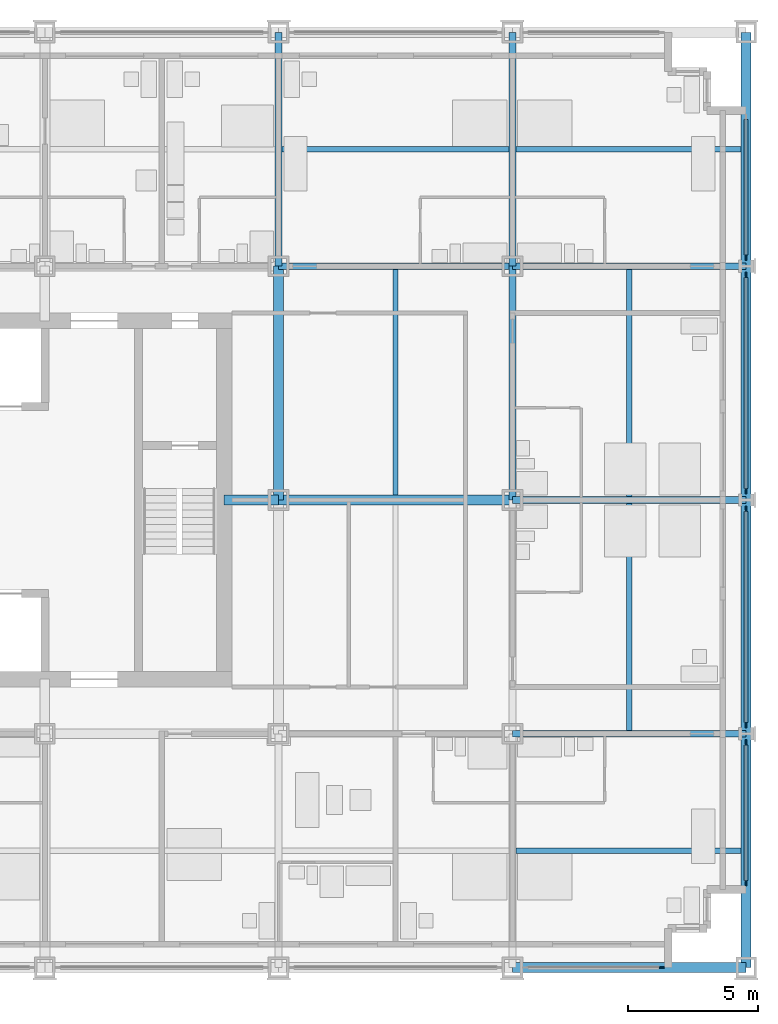
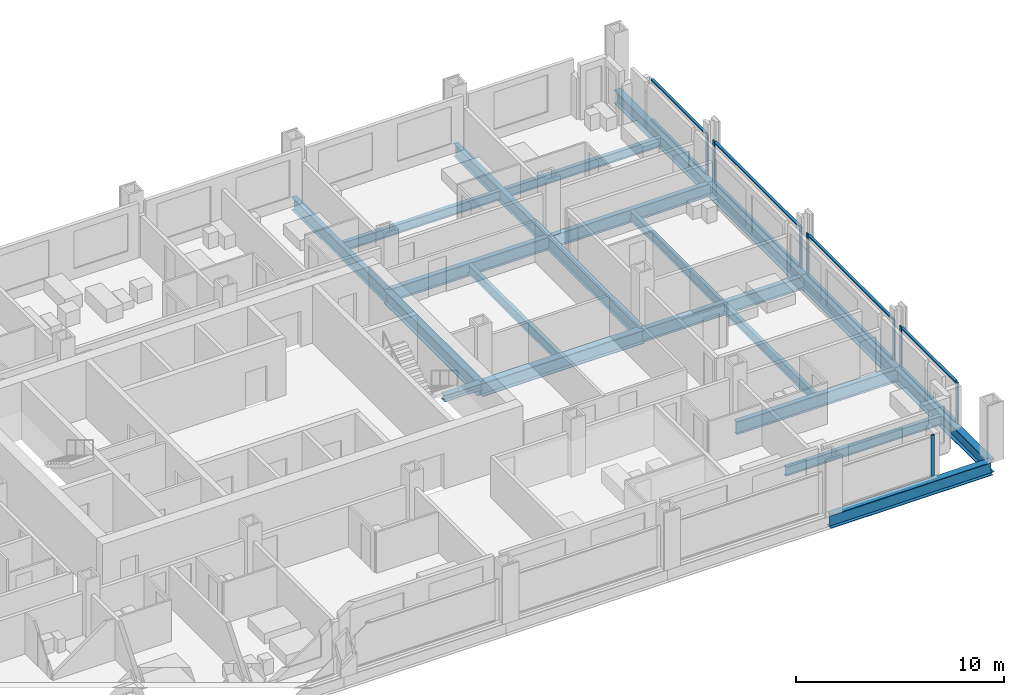
# One storey, part 6 of 18: 20 beams, 17 members, 5 elements without a shape of their own.
"""IFC4 building model written with IfcOpenShell, lengths in metres."""

from ifc_helpers import new_model, si_unit, direction, frame, origin, origin_2d, place, context, subcontext, project, spatial, rectangle, i_section, extrude, material, material_profile, profile_set, type_object, element, aggregate, save


model = new_model("IFC4")

# Units and contexts
model_context = context("Model", 3, precision=1e-05, world=origin(), true_north=direction((0.0, 1.0)))
body_context = subcontext(model_context, "Body", "Model", "MODEL_VIEW")
ifc_project = project(units=[si_unit("LENGTHUNIT", "METRE"), si_unit("AREAUNIT", "SQUARE_METRE"), si_unit("VOLUMEUNIT", "CUBIC_METRE"), si_unit("PLANEANGLEUNIT", "RADIAN"), si_unit("MASSUNIT", "GRAM", prefix="KILO")], contexts=[model_context])

# Site, building, storey
site_placement = place(None, origin())
site = spatial("IfcSite", under=ifc_project, at=site_placement, CompositionType="ELEMENT")
building_placement = place(site_placement, origin())
building = spatial("IfcBuilding", under=site, at=building_placement, Name="Loomwork Tower", CompositionType="ELEMENT")
storey_placement = place(building_placement, frame((0.0, 0.0, 34.800048828125)))
storey = spatial("IfcBuildingStorey", under=building, at=storey_placement, Name="L07", CompositionType="ELEMENT", Elevation=34.800048828125)

# Beams
ifc_material_1 = material(Name="Steel ASTM A992", Category="steel")
ifc_material_profile_1 = material_profile(ifc_material_1, i_section(OverallWidth=0.383544921875, OverallDepth=0.794921875, WebThickness=0.02099609375, FlangeThickness=0.0380859375, at=origin_2d()), Name="W30x235")
ifc_profile_set_1 = profile_set([ifc_material_profile_1], Name="Steel ASTM A992")
beam_type_1 = type_object("IfcBeamType", Name="CORE FLANK GIRDER W30x235", PredefinedType="BEAM", material=ifc_profile_set_1)
for number, where, z_axis, x_axis, name in (
    (1, (36.0, 18.0, -0.59765625), (1.0, 0.0, 0.0), (0.0, 1.0, 0.0), "Core Flank Girder F/6-F/7 L07"),
    (2, (36.0, 18.0, -0.59765625), (0.0, 1.0, 0.0), (-1.0, 0.0, 0.0), "Core Flank Girder F/6-G/6 L07"),
):
    element("IfcBeam", number, at=place(storey_placement, frame(where, z_axis=z_axis, x_axis=x_axis)), inside=storey, type_object=beam_type_1, Name=name, PredefinedType="BEAM", context=body_context, shape_type="SweptSolid", body=[
        extrude(i_section(OverallWidth=0.383544921875, OverallDepth=0.794921875, WebThickness=0.02099609375, FlangeThickness=0.0380859375, at=origin_2d()), origin(), (0.0, 0.0, 1.0), 9.0),
    ])

# Member
ifc_material_2 = material(Name="Steel ASTM A992", Category="steel")
ifc_material_profile_2 = material_profile(ifc_material_2, i_section(OverallWidth=0.373291015625, OverallDepth=0.373291015625, WebThickness=0.016357421875, FlangeThickness=0.026123046875, at=origin_2d()), Name="W14x132")
ifc_profile_set_2 = profile_set([ifc_material_profile_2], Name="Steel ASTM A992")
member_type_1 = type_object("IfcMemberType", Name="CORE LINK STRUT W14x132", PredefinedType="STRUT", material=ifc_profile_set_2)
member_1_placement = place(storey_placement, frame((36.0, 18.0, -0.38671875), z_axis=(-1.0, 0.0, 0.0), x_axis=(0.0, -1.0, 0.0)))
element("IfcMember", 3, at=member_1_placement, inside=storey, type_object=member_type_1, Name="Core link strut F/6-33.900,18.000 L07", PredefinedType="STRUT", context=body_context, shape_type="SweptSolid", body=[
    extrude(i_section(OverallWidth=0.373291015625, OverallDepth=0.373291015625, WebThickness=0.016357421875, FlangeThickness=0.026123046875, at=origin_2d()), origin(), (0.0, 0.0, 1.0), 2.10009765625),
])

# Beams
ifc_material_3 = material(Name="Steel ASTM A992", Category="steel")
ifc_material_profile_3 = material_profile(ifc_material_3, i_section(OverallWidth=0.2666015625, OverallDepth=0.761962890625, WebThickness=0.014404296875, FlangeThickness=0.021484375, at=origin_2d()), Name="W30x116")
ifc_profile_set_3 = profile_set([ifc_material_profile_3], Name="Steel ASTM A992")
beam_type_2 = type_object("IfcBeamType", Name="FLOOR GIRDER W30x116", PredefinedType="BEAM", material=ifc_profile_set_3)
for number, where, z_axis, x_axis, name in (
    (4, (45.0, 9.0, -0.5810546875), (1.0, 0.0, 0.0), (0.0, 1.0, 0.0), "Floor Girder E/7-E/8 L07"),
    (5, (45.0, 18.0, -0.5810546875), (1.0, 0.0, 0.0), (0.0, 1.0, 0.0), "Floor Girder F/7-F/8 L07"),
    (6, (36.0, 27.0, -0.5810546875), (1.0, 0.0, 0.0), (0.0, 1.0, 0.0), "Floor Girder G/6-G/7 L07"),
    (7, (45.0, 27.0, -0.5810546875), (1.0, 0.0, 0.0), (0.0, 1.0, 0.0), "Floor Girder G/7-G/8 L07"),
    (8, (36.0, 27.0, -0.5810546875), (0.0, 1.0, 0.0), (-1.0, 0.0, 0.0), "Floor Girder G/6-H/6 L07"),
    (9, (45.0, 18.0, -0.5810546875), (0.0, 1.0, 0.0), (-1.0, 0.0, 0.0), "Floor Girder F/7-G/7 L07"),
    (10, (45.0, 27.0, -0.5810546875), (0.0, 1.0, 0.0), (-1.0, 0.0, 0.0), "Floor Girder G/7-H/7 L07"),
):
    element("IfcBeam", number, at=place(storey_placement, frame(where, z_axis=z_axis, x_axis=x_axis)), inside=storey, type_object=beam_type_2, Name=name, PredefinedType="BEAM", context=body_context, shape_type="SweptSolid", body=[
        extrude(i_section(OverallWidth=0.2666015625, OverallDepth=0.761962890625, WebThickness=0.014404296875, FlangeThickness=0.021484375, at=origin_2d()), origin(), (0.0, 0.0, 1.0), 9.0),
    ])
ifc_material_4 = material(Name="Steel ASTM A992", Category="steel")
ifc_material_profile_4 = material_profile(ifc_material_4, i_section(OverallWidth=0.2109375, OverallDepth=0.53857421875, WebThickness=0.011474609375, FlangeThickness=0.018798828125, at=origin_2d()), Name="W21x73")
ifc_profile_set_4 = profile_set([ifc_material_profile_4], Name="Steel ASTM A992")
beam_type_3 = type_object("IfcBeamType", Name="FLOOR JOIST W21x73", PredefinedType="JOIST", material=ifc_profile_set_4)
beam_1_placement = place(storey_placement, frame((40.5, 18.19091796875, -0.46923828125), z_axis=(0.0, 1.0, 0.0), x_axis=(-1.0, 0.0, 0.0)))
element("IfcBeam", 11, at=beam_1_placement, inside=storey, type_object=beam_type_3, Name="Floor Joist 40.500,18.000-40.500,27.000 L07", PredefinedType="JOIST", context=body_context, shape_type="SweptSolid", body=[
    extrude(i_section(OverallWidth=0.2109375, OverallDepth=0.53857421875, WebThickness=0.011474609375, FlangeThickness=0.018798828125, at=origin_2d()), origin(), (0.0, 0.0, 1.0), 8.676025390625),
])
beam_2_placement = place(storey_placement, frame((36.133056640625, 31.5, -0.46923828125), z_axis=(1.0, 0.0, 0.0), x_axis=(0.0, 1.0, 0.0)))
element("IfcBeam", 12, at=beam_2_placement, inside=storey, type_object=beam_type_3, Name="Floor Joist 36.000,31.500-45.000,31.500 L07", PredefinedType="JOIST", context=body_context, shape_type="SweptSolid", body=[
    extrude(i_section(OverallWidth=0.2109375, OverallDepth=0.53857421875, WebThickness=0.011474609375, FlangeThickness=0.018798828125, at=origin_2d()), origin(), (0.0, 0.0, 1.0), 8.73388671875),
])
beam_3_placement = place(storey_placement, frame((45.133056640625, 4.5, -0.46923828125), z_axis=(1.0, 0.0, 0.0), x_axis=(0.0, 1.0, 0.0)))
element("IfcBeam", 13, at=beam_3_placement, inside=storey, type_object=beam_type_3, Name="Floor Joist 45.000,4.500-54.000,4.500 L07", PredefinedType="JOIST", context=body_context, shape_type="SweptSolid", body=[
    extrude(i_section(OverallWidth=0.2109375, OverallDepth=0.53857421875, WebThickness=0.011474609375, FlangeThickness=0.018798828125, at=origin_2d()), origin(), (0.0, 0.0, 1.0), 8.677001953125),
])
for number, where, z_axis, x_axis, name in (
    (14, (49.5, 9.133056640625, -0.46923828125), (0.0, 1.0, 0.0), (-1.0, 0.0, 0.0), "Floor Joist 49.500,9.000-49.500,18.000 L07"),
    (15, (49.5, 18.133056640625, -0.46923828125), (0.0, 1.0, 0.0), (-1.0, 0.0, 0.0), "Floor Joist 49.500,18.000-49.500,27.000 L07"),
):
    element("IfcBeam", number, at=place(storey_placement, frame(where, z_axis=z_axis, x_axis=x_axis)), inside=storey, type_object=beam_type_3, Name=name, PredefinedType="JOIST", context=body_context, shape_type="SweptSolid", body=[
        extrude(i_section(OverallWidth=0.2109375, OverallDepth=0.53857421875, WebThickness=0.011474609375, FlangeThickness=0.018798828125, at=origin_2d()), origin(), (0.0, 0.0, 1.0), 8.73388671875),
    ])
beam_4_placement = place(storey_placement, frame((45.133056640625, 31.5, -0.46923828125), z_axis=(1.0, 0.0, 0.0), x_axis=(0.0, 1.0, 0.0)))
element("IfcBeam", 16, at=beam_4_placement, inside=storey, type_object=beam_type_3, Name="Floor Joist 45.000,31.500-54.000,31.500 L07", PredefinedType="JOIST", context=body_context, shape_type="SweptSolid", body=[
    extrude(i_section(OverallWidth=0.2109375, OverallDepth=0.53857421875, WebThickness=0.011474609375, FlangeThickness=0.018798828125, at=origin_2d()), origin(), (0.0, 0.0, 1.0), 8.677001953125),
])

# Curtain wall, member
ifc_material_5 = material(Name="Aluminium curtain wall frame", Category="aluminium")
curtain_wall_type = type_object("IfcCurtainWallType", Name="Outer skin glazing hotel", PredefinedType="NOTDEFINED", material=ifc_material_5)
curtain_wall_1_placement = place(storey_placement, origin())
curtain_wall_1 = element("IfcCurtainWall", 17, at=curtain_wall_1_placement, inside=storey, type_object=curtain_wall_type, Name="Outer skin glazing hotel cw/S-45", PredefinedType="NOTDEFINED")
ifc_material_6 = material(Name="Aluminium curtain wall frame", Category="aluminium")
ifc_material_profile_5 = material_profile(ifc_material_6, rectangle(XDim=0.06494140625, YDim=0.199951171875, at=origin_2d()), Name="AL 65x200")
ifc_profile_set_5 = profile_set([ifc_material_profile_5], Name="Aluminium curtain wall frame")
member_type_2 = type_object("IfcMemberType", Name="Outer skin glazing hotel mullion", PredefinedType="MULLION", material=ifc_profile_set_5)
member_2_placement = place(storey_placement, frame((50.75, 0.0, 0.0), z_axis=(0.0, 0.0, 1.0), x_axis=(0.0, 1.0, 0.0)))
member_2 = element("IfcMember", 18, at=member_2_placement, type_object=member_type_2, Name="CW1 mullion 2", PredefinedType="MULLION", context=body_context, shape_type="SweptSolid", body=[
    extrude(rectangle(XDim=0.06494140625, YDim=0.199951171875, at=origin_2d()), origin(), (0.0, 0.0, 1.0), 2.420166015625),
])
aggregate(curtain_wall_1, [member_2])

# Curtain wall, members
curtain_wall_2_placement = place(storey_placement, origin())
curtain_wall_2 = element("IfcCurtainWall", 19, at=curtain_wall_2_placement, inside=storey, type_object=curtain_wall_type, Name="Outer skin glazing hotel cw/E-0", PredefinedType="NOTDEFINED")
member_3_placement = place(storey_placement, frame((54.0, 3.25, 0.0), z_axis=(0.0, 0.0, 1.0), x_axis=(-1.0, 0.0, 0.0)))
member_3 = element("IfcMember", 20, at=member_3_placement, type_object=member_type_2, Name="CW1 mullion 1", PredefinedType="MULLION", context=body_context, shape_type="SweptSolid", body=[
    extrude(rectangle(XDim=0.06494140625, YDim=0.199951171875, at=origin_2d()), origin(), (0.0, 0.0, 1.0), 2.420166015625),
])
member_4_placement = place(storey_placement, frame((54.0, 8.6611328125, 0.0), z_axis=(0.0, 0.0, 1.0), x_axis=(-1.0, 0.0, 0.0)))
member_4 = element("IfcMember", 21, at=member_4_placement, type_object=member_type_2, Name="CW1 mullion 2", PredefinedType="MULLION", context=body_context, shape_type="SweptSolid", body=[
    extrude(rectangle(XDim=0.06494140625, YDim=0.199951171875, at=origin_2d()), origin(), (0.0, 0.0, 1.0), 2.420166015625),
])

curtain_wall_3_placement = place(storey_placement, origin())
curtain_wall_3 = element("IfcCurtainWall", 22, at=curtain_wall_3_placement, inside=storey, type_object=curtain_wall_type, Name="Outer skin glazing hotel cw/E-9", PredefinedType="NOTDEFINED")
member_5_placement = place(storey_placement, frame((54.0, 9.3388671875, 0.0), z_axis=(0.0, 0.0, 1.0), x_axis=(-1.0, 0.0, 0.0)))
member_5 = element("IfcMember", 23, at=member_5_placement, type_object=member_type_2, Name="CW1 mullion 1", PredefinedType="MULLION", context=body_context, shape_type="SweptSolid", body=[
    extrude(rectangle(XDim=0.06494140625, YDim=0.199951171875, at=origin_2d()), origin(), (0.0, 0.0, 1.0), 2.420166015625),
])
member_6_placement = place(storey_placement, frame((54.0, 17.6611328125, 0.0), z_axis=(0.0, 0.0, 1.0), x_axis=(-1.0, 0.0, 0.0)))
member_6 = element("IfcMember", 24, at=member_6_placement, type_object=member_type_2, Name="CW1 mullion 2", PredefinedType="MULLION", context=body_context, shape_type="SweptSolid", body=[
    extrude(rectangle(XDim=0.06494140625, YDim=0.199951171875, at=origin_2d()), origin(), (0.0, 0.0, 1.0), 2.420166015625),
])

curtain_wall_4_placement = place(storey_placement, origin())
curtain_wall_4 = element("IfcCurtainWall", 25, at=curtain_wall_4_placement, inside=storey, type_object=curtain_wall_type, Name="Outer skin glazing hotel cw/E-18", PredefinedType="NOTDEFINED")
member_7_placement = place(storey_placement, frame((54.0, 18.3388671875, 0.0), z_axis=(0.0, 0.0, 1.0), x_axis=(-1.0, 0.0, 0.0)))
member_7 = element("IfcMember", 26, at=member_7_placement, type_object=member_type_2, Name="CW1 mullion 1", PredefinedType="MULLION", context=body_context, shape_type="SweptSolid", body=[
    extrude(rectangle(XDim=0.06494140625, YDim=0.199951171875, at=origin_2d()), origin(), (0.0, 0.0, 1.0), 2.420166015625),
])
member_8_placement = place(storey_placement, frame((54.0, 26.6611328125, 0.0), z_axis=(0.0, 0.0, 1.0), x_axis=(-1.0, 0.0, 0.0)))
member_8 = element("IfcMember", 27, at=member_8_placement, type_object=member_type_2, Name="CW1 mullion 2", PredefinedType="MULLION", context=body_context, shape_type="SweptSolid", body=[
    extrude(rectangle(XDim=0.06494140625, YDim=0.199951171875, at=origin_2d()), origin(), (0.0, 0.0, 1.0), 2.420166015625),
])

# Curtain wall, member
curtain_wall_5_placement = place(storey_placement, origin())
curtain_wall_5 = element("IfcCurtainWall", 28, at=curtain_wall_5_placement, inside=storey, type_object=curtain_wall_type, Name="Outer skin glazing hotel cw/E-27", PredefinedType="NOTDEFINED")
member_9_placement = place(storey_placement, frame((54.0, 27.3388671875, 0.0), z_axis=(0.0, 0.0, 1.0), x_axis=(-1.0, 0.0, 0.0)))
member_9 = element("IfcMember", 29, at=member_9_placement, type_object=member_type_2, Name="CW1 mullion 1", PredefinedType="MULLION", context=body_context, shape_type="SweptSolid", body=[
    extrude(rectangle(XDim=0.06494140625, YDim=0.199951171875, at=origin_2d()), origin(), (0.0, 0.0, 1.0), 2.420166015625),
])

# Member
ifc_material_7 = material(Name="Aluminium curtain wall frame", Category="aluminium")
ifc_material_profile_6 = material_profile(ifc_material_7, rectangle(XDim=0.14990234375, YDim=0.06494140625, at=origin_2d()), Name="AL 65x150")
ifc_profile_set_6 = profile_set([ifc_material_profile_6], Name="Aluminium curtain wall frame")
member_type_3 = type_object("IfcMemberType", Name="Outer skin glazing hotel transom", PredefinedType="USERDEFINED", material=ifc_profile_set_6)
member_10_placement = place(storey_placement, frame((54.0, 3.35009765625, 0.032470703125), z_axis=(0.0, 1.0, 0.0), x_axis=(-1.0, 0.0, 0.0)))
member_10 = element("IfcMember", 30, at=member_10_placement, type_object=member_type_3, Name="CW1 transom 1.1", ObjectType="TRANSOM", PredefinedType="USERDEFINED", context=body_context, shape_type="SweptSolid", body=[
    extrude(rectangle(XDim=0.14990234375, YDim=0.06494140625, at=origin_2d()), origin(), (0.0, 0.0, 1.0), 5.211181640625),
])

member_11_placement = place(storey_placement, frame((54.0, 3.35009765625, 2.3876953125), z_axis=(0.0, 1.0, 0.0), x_axis=(-1.0, 0.0, 0.0)))
member_11 = element("IfcMember", 31, at=member_11_placement, type_object=member_type_3, Name="CW1 transom 1.2", ObjectType="TRANSOM", PredefinedType="USERDEFINED", context=body_context, shape_type="SweptSolid", body=[
    extrude(rectangle(XDim=0.14990234375, YDim=0.06494140625, at=origin_2d()), origin(), (0.0, 0.0, 1.0), 5.211181640625),
])

aggregate(curtain_wall_2, [member_3, member_4, member_10, member_11])

member_12_placement = place(storey_placement, frame((54.0, 9.438720703125, 0.032470703125), z_axis=(0.0, 1.0, 0.0), x_axis=(-1.0, 0.0, 0.0)))
member_12 = element("IfcMember", 32, at=member_12_placement, type_object=member_type_3, Name="CW1 transom 1.1", ObjectType="TRANSOM", PredefinedType="USERDEFINED", context=body_context, shape_type="SweptSolid", body=[
    extrude(rectangle(XDim=0.14990234375, YDim=0.06494140625, at=origin_2d()), origin(), (0.0, 0.0, 1.0), 8.12255859375),
])

member_13_placement = place(storey_placement, frame((54.0, 9.438720703125, 2.3876953125), z_axis=(0.0, 1.0, 0.0), x_axis=(-1.0, 0.0, 0.0)))
member_13 = element("IfcMember", 33, at=member_13_placement, type_object=member_type_3, Name="CW1 transom 1.2", ObjectType="TRANSOM", PredefinedType="USERDEFINED", context=body_context, shape_type="SweptSolid", body=[
    extrude(rectangle(XDim=0.14990234375, YDim=0.06494140625, at=origin_2d()), origin(), (0.0, 0.0, 1.0), 8.12255859375),
])

aggregate(curtain_wall_3, [member_5, member_6, member_12, member_13])

member_14_placement = place(storey_placement, frame((54.0, 18.438720703125, 0.032470703125), z_axis=(0.0, 1.0, 0.0), x_axis=(-1.0, 0.0, 0.0)))
member_14 = element("IfcMember", 34, at=member_14_placement, type_object=member_type_3, Name="CW1 transom 1.1", ObjectType="TRANSOM", PredefinedType="USERDEFINED", context=body_context, shape_type="SweptSolid", body=[
    extrude(rectangle(XDim=0.14990234375, YDim=0.06494140625, at=origin_2d()), origin(), (0.0, 0.0, 1.0), 8.12255859375),
])

member_15_placement = place(storey_placement, frame((54.0, 18.438720703125, 2.3876953125), z_axis=(0.0, 1.0, 0.0), x_axis=(-1.0, 0.0, 0.0)))
member_15 = element("IfcMember", 35, at=member_15_placement, type_object=member_type_3, Name="CW1 transom 1.2", ObjectType="TRANSOM", PredefinedType="USERDEFINED", context=body_context, shape_type="SweptSolid", body=[
    extrude(rectangle(XDim=0.14990234375, YDim=0.06494140625, at=origin_2d()), origin(), (0.0, 0.0, 1.0), 8.12255859375),
])

aggregate(curtain_wall_4, [member_7, member_8, member_14, member_15])

member_16_placement = place(storey_placement, frame((54.0, 27.438720703125, 0.032470703125), z_axis=(0.0, 1.0, 0.0), x_axis=(-1.0, 0.0, 0.0)))
member_16 = element("IfcMember", 36, at=member_16_placement, type_object=member_type_3, Name="CW1 transom 1.1", ObjectType="TRANSOM", PredefinedType="USERDEFINED", context=body_context, shape_type="SweptSolid", body=[
    extrude(rectangle(XDim=0.14990234375, YDim=0.06494140625, at=origin_2d()), origin(), (0.0, 0.0, 1.0), 5.211181640625),
])

member_17_placement = place(storey_placement, frame((54.0, 27.438720703125, 2.3876953125), z_axis=(0.0, 1.0, 0.0), x_axis=(-1.0, 0.0, 0.0)))
member_17 = element("IfcMember", 37, at=member_17_placement, type_object=member_type_3, Name="CW1 transom 1.2", ObjectType="TRANSOM", PredefinedType="USERDEFINED", context=body_context, shape_type="SweptSolid", body=[
    extrude(rectangle(XDim=0.14990234375, YDim=0.06494140625, at=origin_2d()), origin(), (0.0, 0.0, 1.0), 5.211181640625),
])

aggregate(curtain_wall_5, [member_9, member_16, member_17])

# Beams
ifc_material_8 = material(Name="Steel ASTM A992", Category="steel")
ifc_material_profile_7 = material_profile(ifc_material_8, i_section(OverallWidth=0.381103515625, OverallDepth=0.77978515625, WebThickness=0.01806640625, FlangeThickness=0.0302734375, at=origin_2d()), Name="W30x191")
ifc_profile_set_7 = profile_set([ifc_material_profile_7], Name="Steel ASTM A992")
beam_type_4 = type_object("IfcBeamType", Name="SPANDREL GIRDER W30x191", PredefinedType="SPANDREL", material=ifc_profile_set_7)
for number, where, z_axis, x_axis, name in (
    (38, (45.0, 0.0, -0.58984375), (1.0, 0.0, 0.0), (0.0, 1.0, 0.0), "Spandrel Girder D/7-D/8 L07"),
    (39, (54.0, 0.0, -0.58984375), (0.0, 1.0, 0.0), (-1.0, 0.0, 0.0), "Spandrel Girder D/8-E/8 L07"),
    (40, (54.0, 9.0, -0.58984375), (0.0, 1.0, 0.0), (-1.0, 0.0, 0.0), "Spandrel Girder E/8-F/8 L07"),
    (41, (54.0, 18.0, -0.58984375), (0.0, 1.0, 0.0), (-1.0, 0.0, 0.0), "Spandrel Girder F/8-G/8 L07"),
    (42, (54.0, 27.0, -0.58984375), (0.0, 1.0, 0.0), (-1.0, 0.0, 0.0), "Spandrel Girder G/8-H/8 L07"),
):
    element("IfcBeam", number, at=place(storey_placement, frame(where, z_axis=z_axis, x_axis=x_axis)), inside=storey, type_object=beam_type_4, Name=name, PredefinedType="SPANDREL", context=body_context, shape_type="SweptSolid", body=[
        extrude(i_section(OverallWidth=0.381103515625, OverallDepth=0.77978515625, WebThickness=0.01806640625, FlangeThickness=0.0302734375, at=origin_2d()), origin(), (0.0, 0.0, 1.0), 9.0),
    ])

save(model, "model.ifc")
